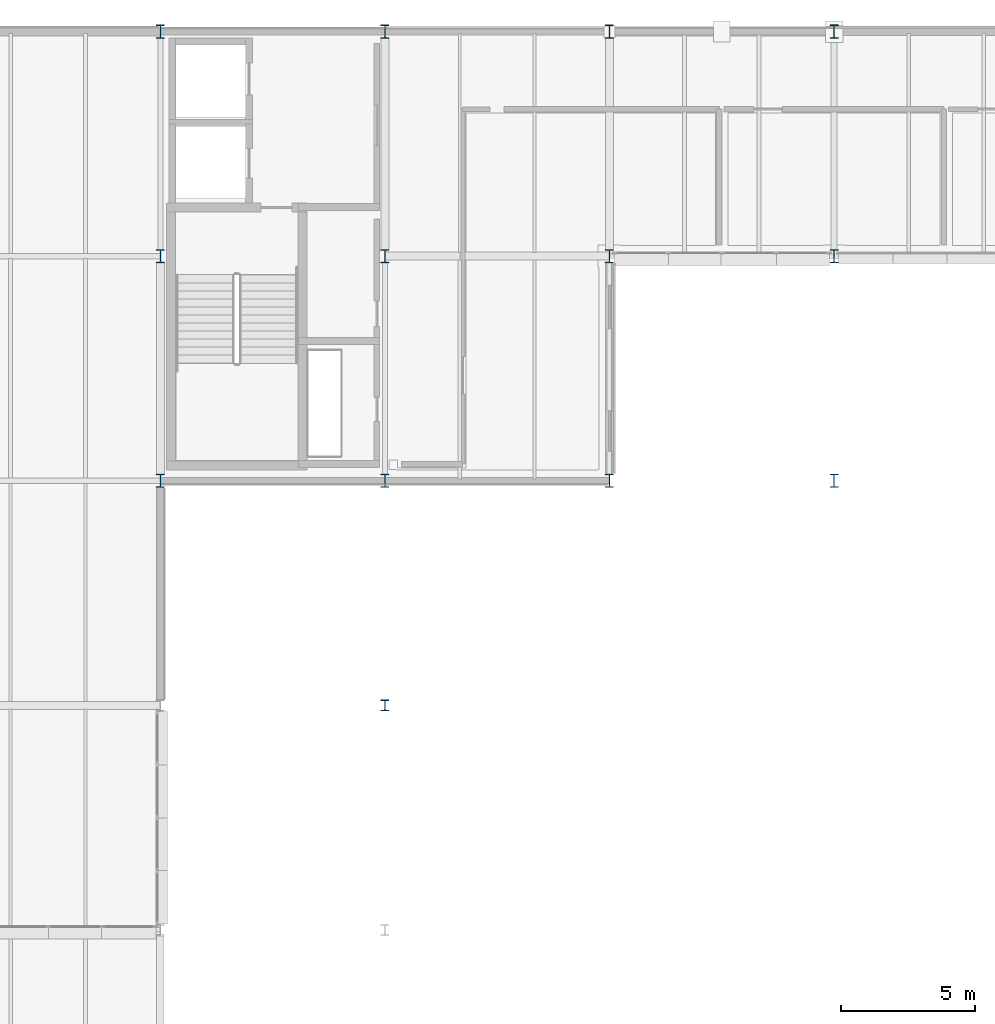
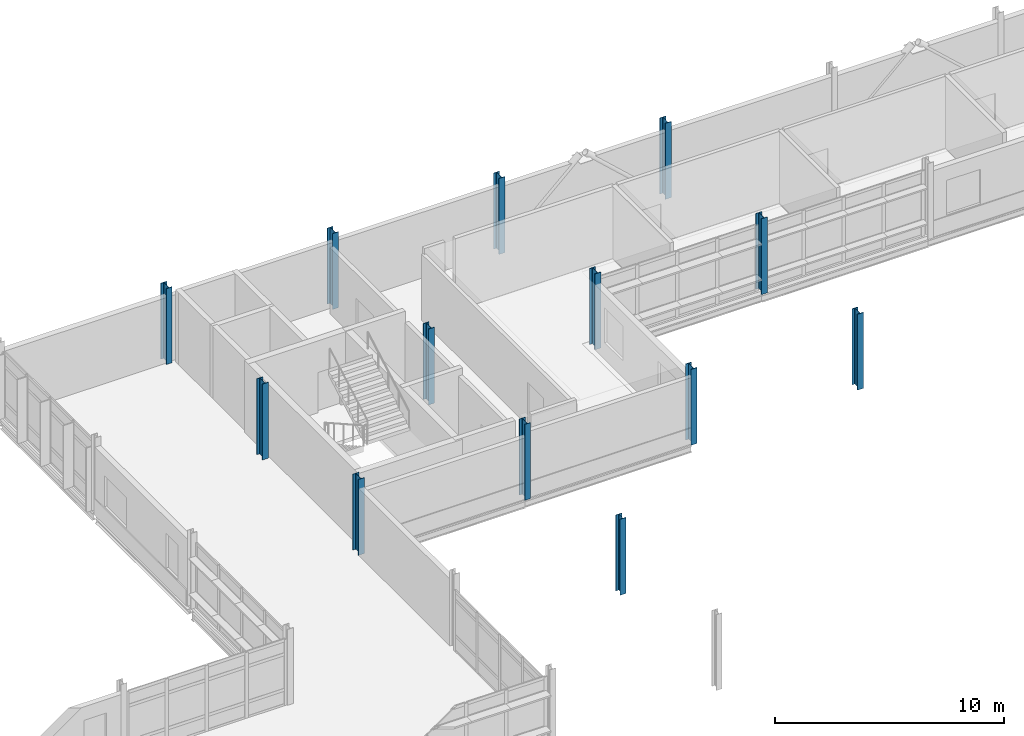
# One storey, part 7 of 151: 13 columns.
"""IFC4 building model written with IfcOpenShell, lengths in metres."""

from ifc_helpers import new_model, si_unit, direction, frame, origin, origin_2d, place, context, subcontext, project, spatial, i_section, extrude, material, material_profile, profile_set, type_object, element, save


model = new_model("IFC4")

# Units and contexts
model_context = context("Model", 3, precision=1e-05, world=origin(), true_north=direction((0.0, 1.0)))
body_context = subcontext(model_context, "Body", "Model", "MODEL_VIEW")
ifc_project = project(units=[si_unit("LENGTHUNIT", "METRE"), si_unit("AREAUNIT", "SQUARE_METRE"), si_unit("VOLUMEUNIT", "CUBIC_METRE"), si_unit("PLANEANGLEUNIT", "RADIAN"), si_unit("MASSUNIT", "GRAM", prefix="KILO")], contexts=[model_context])

# Site, building, storey
site_placement = place(None, origin())
site = spatial("IfcSite", under=ifc_project, at=site_placement, CompositionType="ELEMENT")
building_placement = place(site_placement, origin())
building = spatial("IfcBuilding", under=site, at=building_placement, Name="Mersafa Astral City Hall", CompositionType="ELEMENT")
storey_placement = place(building_placement, frame((0.0, 0.0, 9.89990234375)))
storey = spatial("IfcBuildingStorey", under=building, at=storey_placement, Name="L02", CompositionType="ELEMENT", Elevation=9.89990234375)

# Columns
ifc_material = material(Name="Steel S355", Category="steel")
ifc_material_profile_1 = material_profile(ifc_material, i_section(OverallWidth=0.300048828125, OverallDepth=0.39990234375, WebThickness=0.013427734375, FlangeThickness=0.02392578125, FilletRadius=0.027099609375, at=origin_2d()), Name="HEB 400")
ifc_profile_set_1 = profile_set([ifc_material_profile_1], Name="Steel S355")
column_type_1 = type_object("IfcColumnType", Name="STR-COL-HEB400", PredefinedType="COLUMN", material=ifc_profile_set_1)
column_placement = place(storey_placement, frame((50.39990234375, 100.800048828125, 0.0), z_axis=(0.0, 0.0, 1.0), x_axis=(1.0, 0.0, 0.0)))
element("IfcColumn", 1, at=column_placement, inside=storey, type_object=column_type_1, Name="L02 Structural column G-06-12", PredefinedType="COLUMN", context=body_context, shape_type="SweptSolid", body=[
    extrude(i_section(OverallWidth=0.300048828125, OverallDepth=0.39990234375, WebThickness=0.013427734375, FlangeThickness=0.02392578125, FilletRadius=0.027099609375, at=origin_2d()), origin(), (0.0, 0.0, 1.0), 4.050048828125),
])
ifc_material_profile_2 = material_profile(ifc_material, i_section(OverallWidth=0.300048828125, OverallDepth=0.5, WebThickness=0.014404296875, FlangeThickness=0.028076171875, FilletRadius=0.027099609375, at=origin_2d()), Name="HEB 500")
ifc_profile_set_2 = profile_set([ifc_material_profile_2], Name="Steel S355")
column_type_2 = type_object("IfcColumnType", Name="STR-COL-HEB500", PredefinedType="COLUMN", material=ifc_profile_set_2)
for number, where, z_axis, x_axis, name in (
    (2, (42.0, 109.199951171875, 0.0), (0.0, 0.0, 1.0), (1.0, 0.0, 0.0), "L02 Structural column G-05-13"),
    (3, (42.0, 117.60009765625, 0.0), (0.0, 0.0, 1.0), (1.0, 0.0, 0.0), "L02 Structural column G-05-14"),
    (4, (42.0, 126.0, 0.0), (0.0, 0.0, 1.0), (1.0, 0.0, 0.0), "L02 Structural column G-05-15"),
    (5, (50.39990234375, 109.199951171875, 0.0), (0.0, 0.0, 1.0), (1.0, 0.0, 0.0), "L02 Structural column G-06-13"),
    (6, (50.39990234375, 117.60009765625, 0.0), (0.0, 0.0, 1.0), (1.0, 0.0, 0.0), "L02 Structural column G-06-14"),
    (7, (50.39990234375, 126.0, 0.0), (0.0, 0.0, 1.0), (1.0, 0.0, 0.0), "L02 Structural column G-06-15"),
    (8, (58.800048828125, 109.199951171875, 0.0), (0.0, 0.0, 1.0), (1.0, 0.0, 0.0), "L02 Structural column G-07-13"),
    (9, (58.800048828125, 117.60009765625, 0.0), (0.0, 0.0, 1.0), (1.0, 0.0, 0.0), "L02 Structural column G-07-14"),
    (10, (58.800048828125, 126.0, 0.0), (0.0, 0.0, 1.0), (1.0, 0.0, 0.0), "L02 Structural column G-07-15"),
    (11, (67.199951171875, 109.199951171875, 0.0), (0.0, 0.0, 1.0), (1.0, 0.0, 0.0), "L02 Structural column G-08-13"),
    (12, (67.199951171875, 117.60009765625, 0.0), (0.0, 0.0, 1.0), (1.0, 0.0, 0.0), "L02 Structural column G-08-14"),
    (13, (67.199951171875, 126.0, 0.0), (0.0, 0.0, 1.0), (1.0, 0.0, 0.0), "L02 Structural column G-08-15"),
):
    element("IfcColumn", number, at=place(storey_placement, frame(where, z_axis=z_axis, x_axis=x_axis)), inside=storey, type_object=column_type_2, Name=name, PredefinedType="COLUMN", context=body_context, shape_type="SweptSolid", body=[
        extrude(i_section(OverallWidth=0.300048828125, OverallDepth=0.5, WebThickness=0.014404296875, FlangeThickness=0.028076171875, FilletRadius=0.027099609375, at=origin_2d()), origin(), (0.0, 0.0, 1.0), 4.050048828125),
    ])

save(model, "model.ifc")
